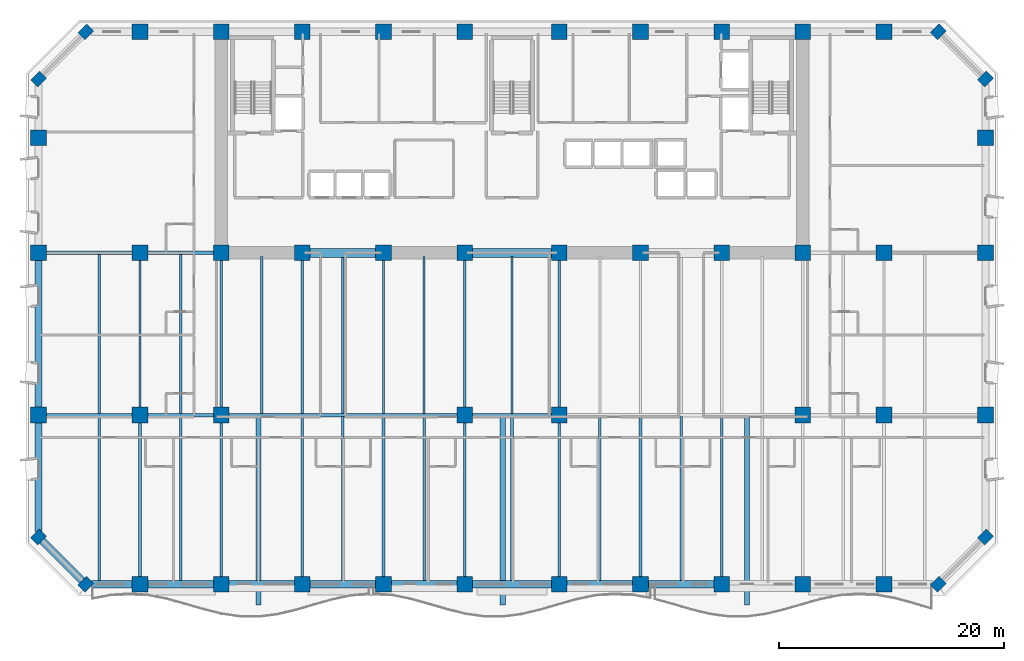
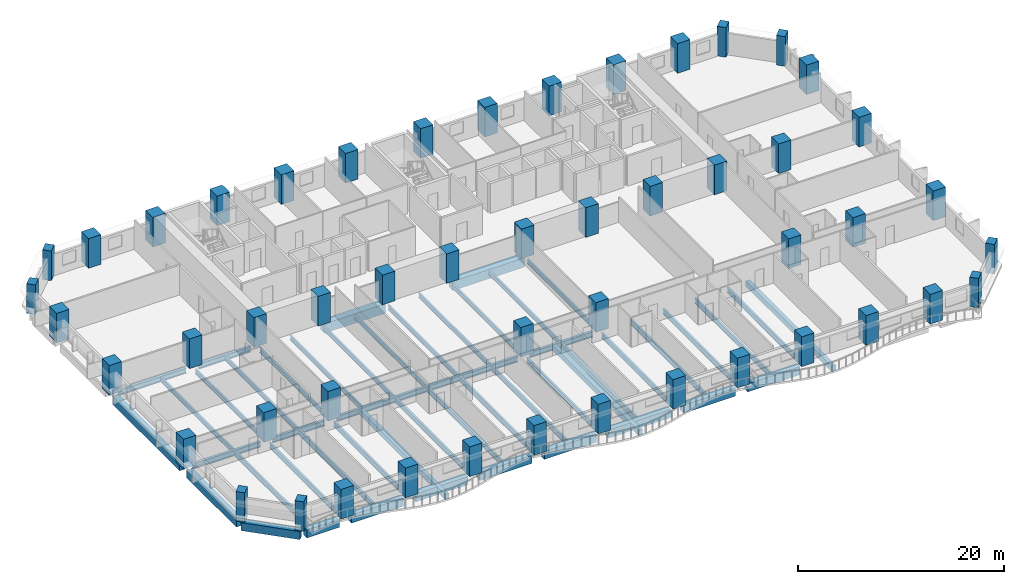
# One storey, part 1 of 15: 50 columns, 49 beams.
"""IFC4 building model written with IfcOpenShell, lengths in metres."""

import ifcopenshell
import ifcopenshell.guid

model = None  # the IFC model being written
_history = None  # IfcOwnerHistory: only IFC2X3 demands one
_inside = {}  # id of a spatial element -> (the spatial element, [elements in it])
_under = {}  # id of a project, library or spatial element -> (it, [spatial elements below it])
_declared = {}  # id of a project -> (the project, [libraries it declares])
_typed = {}  # id of a type object -> (the type object, [elements of that type])
_made_of = {}  # id of a material, layer set ... -> (it, [elements and type objects made of it])


def new_model(schema):
    """Start an empty IFC model of exactly this schema.

    Asked for "IFC4X3", IfcOpenShell would pick the latest addendum, in which some entities
    have other attributes; the version numbers below select the first issue.
    IFC2X3 requires an IfcOwnerHistory on every rooted entity: one is made here for all.
    """
    global model, _history
    if schema == "IFC4X3":
        model = ifcopenshell.file(schema_version=(4, 3, 0, 0))
    else:
        model = ifcopenshell.file(schema=schema)
    _inside.clear()
    _under.clear()
    _declared.clear()
    _typed.clear()
    _made_of.clear()
    _history = None
    if model.schema == "IFC2X3":
        org = make("IfcOrganization", Name="unknown")
        user = make(
            "IfcPersonAndOrganization",
            ThePerson=make("IfcPerson", FamilyName="unknown"),
            TheOrganization=org,
        )
        app = make(
            "IfcApplication",
            ApplicationDeveloper=org,
            Version="unknown",
            ApplicationFullName="unknown",
            ApplicationIdentifier="unknown",
        )
        _history = make(
            "IfcOwnerHistory",
            OwningUser=user,
            OwningApplication=app,
            ChangeAction="ADDED",
            CreationDate=0,
        )
    return model


def make(cls, **values):
    """One entity of the class cls with the attributes given. An attribute that is None is left unset."""
    return model.create_entity(
        cls, **{name: value for name, value in values.items() if value is not None}
    )


def rooted(cls, **values):
    """An entity with a GlobalId (a new one), such as an element, a storey or a relation."""
    return make(cls, GlobalId=ifcopenshell.guid.new(), OwnerHistory=_history, **values)


def si_unit(unit_type, name, prefix=None):
    """IfcSIUnit, for example si_unit("LENGTHUNIT", "METRE", prefix="MILLI")."""
    return make("IfcSIUnit", UnitType=unit_type, Prefix=prefix, Name=name)


def assignment(units):
    """IfcUnitAssignment: the units of a project."""
    return None if units is None else make("IfcUnitAssignment", Units=units)


def point(xyz):
    """IfcCartesianPoint."""
    return None if xyz is None else make("IfcCartesianPoint", Coordinates=xyz)


def direction(xyz):
    """IfcDirection."""
    return None if xyz is None else make("IfcDirection", DirectionRatios=xyz)


def frame(location, z_axis=None, x_axis=None):
    """IfcAxis2Placement3D, a coordinate frame: its origin and axes. An axis left out is left unset."""
    return make(
        "IfcAxis2Placement3D",
        Location=point(location),
        Axis=direction(z_axis),
        RefDirection=direction(x_axis),
    )


def frame_2d(location, x_axis=None):
    """IfcAxis2Placement2D, a coordinate frame in the plane: its origin and x axis."""
    return make(
        "IfcAxis2Placement2D", Location=point(location), RefDirection=direction(x_axis)
    )


def origin():
    """The frame at (0, 0, 0) with its axes left unset."""
    return frame((0.0, 0.0, 0.0))


def origin_2d():
    """The frame at (0, 0) in the plane with its x axis left unset."""
    return frame_2d((0.0, 0.0))


def place(relative_to, where):
    """IfcLocalPlacement: puts the frame where relative to a parent placement (None: the world)."""
    return make(
        "IfcLocalPlacement", PlacementRelTo=relative_to, RelativePlacement=where
    )


def context(
    kind, dimensions, precision=None, world=None, true_north=None, identifier=None
):
    """IfcGeometricRepresentationContext, for example the 3D "Model" context."""
    return make(
        "IfcGeometricRepresentationContext",
        ContextIdentifier=identifier,
        ContextType=kind,
        CoordinateSpaceDimension=dimensions,
        Precision=precision,
        WorldCoordinateSystem=world,
        TrueNorth=true_north,
    )


def subcontext(parent, identifier, kind, view, scale=None):
    """IfcGeometricRepresentationSubContext, for example "Body" below "Model"."""
    return make(
        "IfcGeometricRepresentationSubContext",
        ContextIdentifier=identifier,
        ContextType=kind,
        ParentContext=parent,
        TargetScale=scale,
        TargetView=view,
    )


def project(units=None, contexts=None):
    """IfcProject with its units and contexts."""
    return rooted(
        "IfcProject",
        Name="project",
        RepresentationContexts=contexts,
        UnitsInContext=assignment(units),
    )


def spatial(cls, under=None, at=None, **own):
    """A site, building, storey or space (cls), placed at a placement, below another one or the project."""
    s = rooted(cls, ObjectPlacement=at, **own)
    if under is not None:
        _under.setdefault(under.id(), (under, []))[1].append(s)
    return s


def profile(cls, at=None, kind="AREA", **sizes):
    """A parametric profile (cls). Its sizes go by their IFC names, for example OverallWidth=200.0."""
    return make(cls, ProfileType=kind, Position=at, **sizes)


def rectangle(**sizes):
    """IfcRectangleProfileDef."""
    return profile("IfcRectangleProfileDef", **sizes)


def i_section(**sizes):
    """IfcIShapeProfileDef."""
    return profile("IfcIShapeProfileDef", **sizes)


def extrude(swept, where, along, depth):
    """IfcExtrudedAreaSolid: the profile swept, set in the frame where, extruded along a direction by depth."""
    return make(
        "IfcExtrudedAreaSolid",
        SweptArea=swept,
        Position=where,
        ExtrudedDirection=direction(along),
        Depth=depth,
    )


def shape(context_of_items, identifier, shape_type, items):
    """IfcShapeRepresentation: the items that make up one representation, for example the "Body"."""
    return make(
        "IfcShapeRepresentation",
        ContextOfItems=context_of_items,
        RepresentationIdentifier=identifier,
        RepresentationType=shape_type,
        Items=items,
    )


def material(Name=None, Category=None):
    """IfcMaterial."""
    return make("IfcMaterial", Name=Name, Category=Category)


def material_profile(
    of_material, cross_section, Name=None, Category=None, Priority=None
):
    """IfcMaterialProfile: a cross section and its material."""
    return make(
        "IfcMaterialProfile",
        Name=Name,
        Material=of_material,
        Profile=cross_section,
        Priority=Priority,
        Category=Category,
    )


def profile_set(profiles, Name=None, composite=None):
    """IfcMaterialProfileSet."""
    return make(
        "IfcMaterialProfileSet",
        Name=Name,
        MaterialProfiles=profiles,
        CompositeProfile=composite,
    )


def made_of(thing, what):
    """Note that an element or type object is made of a material, layer set ...; save() writes the relation."""
    if what is not None:
        _made_of.setdefault(what.id(), (what, []))[1].append(thing)
    return thing


def type_object(cls, material=None, **own):
    """A type object (cls), such as IfcWallType, which elements share."""
    return made_of(rooted(cls, **own), material)


def element(
    cls,
    number,
    at=None,
    inside=None,
    cuts=None,
    type_object=None,
    material=None,
    context=None,
    identifier="Body",
    shape_type=None,
    held_by="IfcProductDefinitionShape",
    body=None,
    shapes=None,
    **own,
):
    """One element of the class cls, such as IfcWall. Its Tag is "e" and its number.

    at: its placement. inside: the storey or other place that contains it. cuts: it is an
    opening in that element (IfcRelVoidsElement). A single representation is given by context,
    identifier, shape_type and body (its items); several are given by shapes. held_by: the class
    of the entity that holds the representations. save() writes the other relations.
    """
    e = rooted(cls, Tag="e%d" % number, ObjectPlacement=at, **own)
    if body is not None:
        shapes = [shape(context, identifier, shape_type, body)]
    if shapes is not None:
        e.Representation = make(held_by, Representations=shapes)
    if inside is not None:
        _inside.setdefault(inside.id(), (inside, []))[1].append(e)
    if cuts is not None:
        rooted(
            "IfcRelVoidsElement", RelatingBuildingElement=cuts, RelatedOpeningElement=e
        )
    if type_object is not None:
        _typed.setdefault(type_object.id(), (type_object, []))[1].append(e)
    return made_of(e, material)


def aggregate(whole, parts):
    """IfcRelAggregates: a whole, such as a stair, and the parts it consists of."""
    return rooted("IfcRelAggregates", RelatingObject=whole, RelatedObjects=parts)


def save(model, path):
    """Write the relations noted so far, then the file.

    IfcRelAggregates (storeys below a building ...), IfcRelContainedInSpatialStructure (elements
    in a storey), IfcRelDefinesByType, IfcRelAssociatesMaterial and IfcRelDeclares: one each for
    every whole, place, type object, material and project.
    """
    for whole, parts in _under.values():
        aggregate(whole, parts)
    for where, things in _inside.values():
        rooted(
            "IfcRelContainedInSpatialStructure",
            RelatedElements=things,
            RelatingStructure=where,
        )
    for kind, things in _typed.values():
        rooted("IfcRelDefinesByType", RelatedObjects=things, RelatingType=kind)
    for what, things in _made_of.values():
        rooted("IfcRelAssociatesMaterial", RelatedObjects=things, RelatingMaterial=what)
    for by, libraries in _declared.values():
        rooted("IfcRelDeclares", RelatingContext=by, RelatedDefinitions=libraries)
    model.write(path)


model = new_model("IFC4")

# Units and contexts
model_context = context("Model", 3, precision=1e-05, world=origin(), true_north=direction((0.0, 1.0)))
body_context = subcontext(model_context, "Body", "Model", "MODEL_VIEW")
ifc_project = project(units=[si_unit("LENGTHUNIT", "METRE"), si_unit("AREAUNIT", "SQUARE_METRE"), si_unit("VOLUMEUNIT", "CUBIC_METRE"), si_unit("PLANEANGLEUNIT", "RADIAN"), si_unit("MASSUNIT", "GRAM", prefix="KILO")], contexts=[model_context])

# Site, building, storey
site_placement = place(None, origin())
site = spatial("IfcSite", under=ifc_project, at=site_placement, CompositionType="ELEMENT")
building_placement = place(site_placement, origin())
building = spatial("IfcBuilding", under=site, at=building_placement, Name="Kaelvorn Grand Hotel", CompositionType="ELEMENT")
storey_placement = place(building_placement, frame((0.0, 0.0, 68.89990234375)))
storey = spatial("IfcBuildingStorey", under=building, at=storey_placement, Name="L15", CompositionType="ELEMENT", Elevation=68.89990234375)

# Columns
ifc_material_1 = material(Name="Concrete C80/95", Category="concrete")
ifc_material_profile_1 = material_profile(ifc_material_1, rectangle(XDim=1.10009765625, YDim=0.89990234375, at=origin_2d()), Name="RC PILASTER 1100x900")
ifc_profile_set_1 = profile_set([ifc_material_profile_1], Name="Concrete C80/95")
column_type_1 = type_object("IfcColumnType", Name="COL-PIL-1100x900-C80", PredefinedType="PILASTER", material=ifc_profile_set_1)
for number, where, z_axis, x_axis, name in (
    (1, (4.199951171875, 0.0, 0.0), (0.0, 0.0, 1.0), (0.707106781187, 0.707106781187, 0.0), "L15 Structural Column CH-01"),
    (2, (79.800048828125, 0.0, 0.0), (0.0, 0.0, 1.0), (0.707106781187, 0.707106781187, 0.0), "L15 Structural Column CH-02"),
    (3, (84.0, 4.199951171875, 0.0), (0.0, 0.0, 1.0), (0.707106781187, 0.707106781187, 0.0), "L15 Structural Column CH-03"),
    (4, (84.0, 44.800048828125, 0.0), (0.0, 0.0, 1.0), (0.707106781187, 0.707106781187, 0.0), "L15 Structural Column CH-04"),
    (5, (79.800048828125, 49.0, 0.0), (0.0, 0.0, 1.0), (0.707106781187, 0.707106781187, 0.0), "L15 Structural Column CH-05"),
    (6, (4.199951171875, 49.0, 0.0), (0.0, 0.0, 1.0), (0.707106781187, 0.707106781187, 0.0), "L15 Structural Column CH-06"),
    (7, (0.0, 44.800048828125, 0.0), (0.0, 0.0, 1.0), (0.707106781187, 0.707106781187, 0.0), "L15 Structural Column CH-07"),
    (8, (0.0, 4.199951171875, 0.0), (0.0, 0.0, 1.0), (0.707106781187, 0.707106781187, 0.0), "L15 Structural Column CH-08"),
):
    element("IfcColumn", number, at=place(storey_placement, frame(where, z_axis=z_axis, x_axis=x_axis)), inside=storey, type_object=column_type_1, Name=name, PredefinedType="PILASTER", context=body_context, shape_type="SweptSolid", body=[
        extrude(rectangle(XDim=1.10009765625, YDim=0.89990234375, at=origin_2d()), origin(), (0.0, 0.0, 1.0), 3.510009765625),
    ])
ifc_material_profile_2 = material_profile(ifc_material_1, rectangle(XDim=1.39990234375, YDim=1.39990234375, at=origin_2d()), Name="RC COL 1400x1400")
ifc_profile_set_2 = profile_set([ifc_material_profile_2], Name="Concrete C80/95")
column_type_2 = type_object("IfcColumnType", Name="COL-RC-1400-C80", PredefinedType="COLUMN", material=ifc_profile_set_2)
for number, where, z_axis, x_axis, name in (
    (9, (9.0, 0.0, 0.0), (0.0, 0.0, 1.0), (1.0, 0.0, 0.0), "L15 Structural Column S-01"),
    (10, (16.199951171875, 0.0, 0.0), (0.0, 0.0, 1.0), (1.0, 0.0, 0.0), "L15 Structural Column S-02"),
    (11, (23.39990234375, 0.0, 0.0), (0.0, 0.0, 1.0), (1.0, 0.0, 0.0), "L15 Structural Column S-03"),
    (12, (30.60009765625, 0.0, 0.0), (0.0, 0.0, 1.0), (1.0, 0.0, 0.0), "L15 Structural Column S-04"),
    (13, (37.800048828125, 0.0, 0.0), (0.0, 0.0, 1.0), (1.0, 0.0, 0.0), "L15 Structural Column S-05"),
    (14, (46.199951171875, 0.0, 0.0), (0.0, 0.0, 1.0), (1.0, 0.0, 0.0), "L15 Structural Column S-06"),
    (15, (53.39990234375, 0.0, 0.0), (0.0, 0.0, 1.0), (1.0, 0.0, 0.0), "L15 Structural Column S-07"),
    (16, (60.60009765625, 0.0, 0.0), (0.0, 0.0, 1.0), (1.0, 0.0, 0.0), "L15 Structural Column S-08"),
    (17, (67.800048828125, 0.0, 0.0), (0.0, 0.0, 1.0), (1.0, 0.0, 0.0), "L15 Structural Column S-09"),
    (18, (75.0, 0.0, 0.0), (0.0, 0.0, 1.0), (1.0, 0.0, 0.0), "L15 Structural Column S-10"),
    (19, (0.0, 15.0, 0.0), (0.0, 0.0, 1.0), (1.0, 0.0, 0.0), "L15 Structural Column W-01"),
    (20, (84.0, 15.0, 0.0), (0.0, 0.0, 1.0), (1.0, 0.0, 0.0), "L15 Structural Column E-01"),
    (21, (0.0, 29.39990234375, 0.0), (0.0, 0.0, 1.0), (1.0, 0.0, 0.0), "L15 Structural Column W-02"),
    (22, (84.0, 29.39990234375, 0.0), (0.0, 0.0, 1.0), (1.0, 0.0, 0.0), "L15 Structural Column E-02"),
    (23, (0.0, 39.60009765625, 0.0), (0.0, 0.0, 1.0), (1.0, 0.0, 0.0), "L15 Structural Column W-03"),
    (24, (84.0, 39.60009765625, 0.0), (0.0, 0.0, 1.0), (1.0, 0.0, 0.0), "L15 Structural Column E-03"),
    (25, (9.0, 15.0, 0.0), (0.0, 0.0, 1.0), (1.0, 0.0, 0.0), "L15 Structural Column M-01"),
    (26, (16.199951171875, 15.0, 0.0), (0.0, 0.0, 1.0), (1.0, 0.0, 0.0), "L15 Structural Column M-02"),
    (27, (37.800048828125, 15.0, 0.0), (0.0, 0.0, 1.0), (1.0, 0.0, 0.0), "L15 Structural Column M-03"),
    (28, (46.199951171875, 15.0, 0.0), (0.0, 0.0, 1.0), (1.0, 0.0, 0.0), "L15 Structural Column M-04"),
    (29, (67.800048828125, 15.0, 0.0), (0.0, 0.0, 1.0), (1.0, 0.0, 0.0), "L15 Structural Column M-05"),
    (30, (75.0, 15.0, 0.0), (0.0, 0.0, 1.0), (1.0, 0.0, 0.0), "L15 Structural Column M-06"),
    (31, (9.0, 29.39990234375, 0.0), (0.0, 0.0, 1.0), (1.0, 0.0, 0.0), "L15 Structural Column CR1-01"),
    (32, (9.0, 49.0, 0.0), (0.0, 0.0, 1.0), (1.0, 0.0, 0.0), "L15 Structural Column CR2-01"),
    (33, (16.199951171875, 29.39990234375, 0.0), (0.0, 0.0, 1.0), (1.0, 0.0, 0.0), "L15 Structural Column CR1-02"),
    (34, (16.199951171875, 49.0, 0.0), (0.0, 0.0, 1.0), (1.0, 0.0, 0.0), "L15 Structural Column CR2-02"),
    (35, (23.39990234375, 29.39990234375, 0.0), (0.0, 0.0, 1.0), (1.0, 0.0, 0.0), "L15 Structural Column CR1-03"),
    (36, (23.39990234375, 49.0, 0.0), (0.0, 0.0, 1.0), (1.0, 0.0, 0.0), "L15 Structural Column CR2-03"),
    (37, (30.60009765625, 29.39990234375, 0.0), (0.0, 0.0, 1.0), (1.0, 0.0, 0.0), "L15 Structural Column CR1-04"),
    (38, (30.60009765625, 49.0, 0.0), (0.0, 0.0, 1.0), (1.0, 0.0, 0.0), "L15 Structural Column CR2-04"),
    (39, (37.800048828125, 29.39990234375, 0.0), (0.0, 0.0, 1.0), (1.0, 0.0, 0.0), "L15 Structural Column CR1-05"),
    (40, (37.800048828125, 49.0, 0.0), (0.0, 0.0, 1.0), (1.0, 0.0, 0.0), "L15 Structural Column CR2-05"),
    (41, (46.199951171875, 29.39990234375, 0.0), (0.0, 0.0, 1.0), (1.0, 0.0, 0.0), "L15 Structural Column CR1-06"),
    (42, (46.199951171875, 49.0, 0.0), (0.0, 0.0, 1.0), (1.0, 0.0, 0.0), "L15 Structural Column CR2-06"),
    (43, (53.39990234375, 29.39990234375, 0.0), (0.0, 0.0, 1.0), (1.0, 0.0, 0.0), "L15 Structural Column CR1-07"),
    (44, (53.39990234375, 49.0, 0.0), (0.0, 0.0, 1.0), (1.0, 0.0, 0.0), "L15 Structural Column CR2-07"),
    (45, (60.60009765625, 29.39990234375, 0.0), (0.0, 0.0, 1.0), (1.0, 0.0, 0.0), "L15 Structural Column CR1-08"),
    (46, (60.60009765625, 49.0, 0.0), (0.0, 0.0, 1.0), (1.0, 0.0, 0.0), "L15 Structural Column CR2-08"),
    (47, (67.800048828125, 29.39990234375, 0.0), (0.0, 0.0, 1.0), (1.0, 0.0, 0.0), "L15 Structural Column CR1-09"),
    (48, (67.800048828125, 49.0, 0.0), (0.0, 0.0, 1.0), (1.0, 0.0, 0.0), "L15 Structural Column CR2-09"),
    (49, (75.0, 29.39990234375, 0.0), (0.0, 0.0, 1.0), (1.0, 0.0, 0.0), "L15 Structural Column CR1-10"),
    (50, (75.0, 49.0, 0.0), (0.0, 0.0, 1.0), (1.0, 0.0, 0.0), "L15 Structural Column CR2-10"),
):
    element("IfcColumn", number, at=place(storey_placement, frame(where, z_axis=z_axis, x_axis=x_axis)), inside=storey, type_object=column_type_2, Name=name, PredefinedType="COLUMN", context=body_context, shape_type="SweptSolid", body=[
        extrude(rectangle(XDim=1.39990234375, YDim=1.39990234375, at=origin_2d()), origin(), (0.0, 0.0, 1.0), 3.510009765625),
    ])

# Beams
ifc_material_2 = material(Name="Steel S355", Category="steel")
ifc_material_profile_3 = material_profile(ifc_material_2, i_section(OverallWidth=0.300048828125, OverallDepth=0.64990234375, WebThickness=0.01611328125, FlangeThickness=0.031005859375, FilletRadius=0.027099609375, at=origin_2d()), Name="HEB 650")
ifc_profile_set_3 = profile_set([ifc_material_profile_3], Name="Steel S355")
beam_type_1 = type_object("IfcBeamType", Name="BM-G-HEB650-S355", PredefinedType="BEAM", material=ifc_profile_set_3)
beam_1_placement = place(storey_placement, frame((0.68505859375, 15.0, -0.56494140625), z_axis=(1.0, 0.0, 0.0), x_axis=(0.0, 1.0, 0.0)))
element("IfcBeam", 51, at=beam_1_placement, inside=storey, type_object=beam_type_1, Name="L15 Primary Spine Steel Girder G-15 01", PredefinedType="BEAM", context=body_context, shape_type="SweptSolid", body=[
    extrude(i_section(OverallWidth=0.300048828125, OverallDepth=0.64990234375, WebThickness=0.01611328125, FlangeThickness=0.031005859375, FilletRadius=0.027099609375, at=origin_2d()), origin(), (0.0, 0.0, 1.0), 7.6298828125),
])
beam_2_placement = place(storey_placement, frame((9.68505859375, 15.0, -0.56494140625), z_axis=(1.0, 0.0, 0.0), x_axis=(0.0, 1.0, 0.0)))
element("IfcBeam", 52, at=beam_2_placement, inside=storey, type_object=beam_type_1, Name="L15 Primary Spine Steel Girder G-15 02", PredefinedType="BEAM", context=body_context, shape_type="SweptSolid", body=[
    extrude(i_section(OverallWidth=0.300048828125, OverallDepth=0.64990234375, WebThickness=0.01611328125, FlangeThickness=0.031005859375, FilletRadius=0.027099609375, at=origin_2d()), origin(), (0.0, 0.0, 1.0), 5.829833984375),
])
beam_3_placement = place(storey_placement, frame((16.885009765625, 15.0, -0.56494140625), z_axis=(1.0, 0.0, 0.0), x_axis=(0.0, 1.0, 0.0)))
element("IfcBeam", 53, at=beam_3_placement, inside=storey, type_object=beam_type_1, Name="L15 Primary Spine Steel Girder G-15 03", PredefinedType="BEAM", context=body_context, shape_type="SweptSolid", body=[
    extrude(i_section(OverallWidth=0.300048828125, OverallDepth=0.64990234375, WebThickness=0.01611328125, FlangeThickness=0.031005859375, FilletRadius=0.027099609375, at=origin_2d()), origin(), (0.0, 0.0, 1.0), 20.22998046875),
])
beam_4_placement = place(storey_placement, frame((38.485107421875, 15.0, -0.56494140625), z_axis=(1.0, 0.0, 0.0), x_axis=(0.0, 1.0, 0.0)))
element("IfcBeam", 54, at=beam_4_placement, inside=storey, type_object=beam_type_1, Name="L15 Primary Spine Steel Girder G-15 04", PredefinedType="BEAM", context=body_context, shape_type="SweptSolid", body=[
    extrude(i_section(OverallWidth=0.300048828125, OverallDepth=0.64990234375, WebThickness=0.01611328125, FlangeThickness=0.031005859375, FilletRadius=0.027099609375, at=origin_2d()), origin(), (0.0, 0.0, 1.0), 7.02978515625),
])
beam_5_placement = place(storey_placement, frame((0.68505859375, 29.39990234375, -0.56494140625), z_axis=(1.0, 0.0, 0.0), x_axis=(0.0, 1.0, 0.0)))
element("IfcBeam", 55, at=beam_5_placement, inside=storey, type_object=beam_type_1, Name="L15 West Core Wing Steel Girder G-29W 01", PredefinedType="BEAM", context=body_context, shape_type="SweptSolid", body=[
    extrude(i_section(OverallWidth=0.300048828125, OverallDepth=0.64990234375, WebThickness=0.01611328125, FlangeThickness=0.031005859375, FilletRadius=0.027099609375, at=origin_2d()), origin(), (0.0, 0.0, 1.0), 7.6298828125),
])
beam_6_placement = place(storey_placement, frame((9.68505859375, 29.39990234375, -0.56494140625), z_axis=(1.0, 0.0, 0.0), x_axis=(0.0, 1.0, 0.0)))
element("IfcBeam", 56, at=beam_6_placement, inside=storey, type_object=beam_type_1, Name="L15 West Core Wing Steel Girder G-29W 02", PredefinedType="BEAM", context=body_context, shape_type="SweptSolid", body=[
    extrude(i_section(OverallWidth=0.300048828125, OverallDepth=0.64990234375, WebThickness=0.01611328125, FlangeThickness=0.031005859375, FilletRadius=0.027099609375, at=origin_2d()), origin(), (0.0, 0.0, 1.0), 5.829833984375),
])
ifc_material_profile_4 = material_profile(ifc_material_2, i_section(OverallWidth=0.209228515625, OverallDepth=0.533203125, WebThickness=0.010009765625, FlangeThickness=0.015625, FilletRadius=0.0126953125, at=origin_2d()), Name="UB 533x210x92")
ifc_profile_set_4 = profile_set([ifc_material_profile_4], Name="Steel S355")
beam_type_2 = type_object("IfcBeamType", Name="BM-J-UB533-S355", PredefinedType="JOIST", material=ifc_profile_set_4)
beam_7_placement = place(storey_placement, frame((5.39990234375, 15.135009765625, -0.50634765625), z_axis=(0.0, 1.0, 0.0), x_axis=(-1.0, 0.0, 0.0)))
element("IfcBeam", 57, at=beam_7_placement, inside=storey, type_object=beam_type_2, Name="L15 Composite Floor Joist JM-02", PredefinedType="JOIST", context=body_context, shape_type="SweptSolid", body=[
    extrude(i_section(OverallWidth=0.209228515625, OverallDepth=0.533203125, WebThickness=0.010009765625, FlangeThickness=0.015625, FilletRadius=0.0126953125, at=origin_2d()), origin(), (0.0, 0.0, 1.0), 14.1298828125),
])
beam_8_placement = place(storey_placement, frame((9.0, 15.68505859375, -0.50634765625), z_axis=(0.0, 1.0, 0.0), x_axis=(-1.0, 0.0, 0.0)))
element("IfcBeam", 58, at=beam_8_placement, inside=storey, type_object=beam_type_2, Name="L15 Composite Floor Joist JM-03", PredefinedType="JOIST", context=body_context, shape_type="SweptSolid", body=[
    extrude(i_section(OverallWidth=0.209228515625, OverallDepth=0.533203125, WebThickness=0.010009765625, FlangeThickness=0.015625, FilletRadius=0.0126953125, at=origin_2d()), origin(), (0.0, 0.0, 1.0), 13.030029296875),
])
beam_9_placement = place(storey_placement, frame((12.60009765625, 15.135009765625, -0.50634765625), z_axis=(0.0, 1.0, 0.0), x_axis=(-1.0, 0.0, 0.0)))
element("IfcBeam", 59, at=beam_9_placement, inside=storey, type_object=beam_type_2, Name="L15 Composite Floor Joist JM-04", PredefinedType="JOIST", context=body_context, shape_type="SweptSolid", body=[
    extrude(i_section(OverallWidth=0.209228515625, OverallDepth=0.533203125, WebThickness=0.010009765625, FlangeThickness=0.015625, FilletRadius=0.0126953125, at=origin_2d()), origin(), (0.0, 0.0, 1.0), 14.1298828125),
])
beam_10_placement = place(storey_placement, frame((16.199951171875, 15.68505859375, -0.50634765625), z_axis=(0.0, 1.0, 0.0), x_axis=(-1.0, 0.0, 0.0)))
element("IfcBeam", 60, at=beam_10_placement, inside=storey, type_object=beam_type_2, Name="L15 Composite Floor Joist JM-05", PredefinedType="JOIST", context=body_context, shape_type="SweptSolid", body=[
    extrude(i_section(OverallWidth=0.209228515625, OverallDepth=0.533203125, WebThickness=0.010009765625, FlangeThickness=0.015625, FilletRadius=0.0126953125, at=origin_2d()), origin(), (0.0, 0.0, 1.0), 13.030029296875),
])
beam_11_placement = place(storey_placement, frame((19.800048828125, 15.135009765625, -0.50634765625), z_axis=(0.0, 1.0, 0.0), x_axis=(-1.0, 0.0, 0.0)))
element("IfcBeam", 61, at=beam_11_placement, inside=storey, type_object=beam_type_2, Name="L15 Composite Floor Joist JM-06", PredefinedType="JOIST", context=body_context, shape_type="SweptSolid", body=[
    extrude(i_section(OverallWidth=0.209228515625, OverallDepth=0.533203125, WebThickness=0.010009765625, FlangeThickness=0.015625, FilletRadius=0.0126953125, at=origin_2d()), origin(), (0.0, 0.0, 1.0), 13.925048828125),
])
beam_12_placement = place(storey_placement, frame((23.39990234375, 15.135009765625, -0.50634765625), z_axis=(0.0, 1.0, 0.0), x_axis=(-1.0, 0.0, 0.0)))
element("IfcBeam", 62, at=beam_12_placement, inside=storey, type_object=beam_type_2, Name="L15 Composite Floor Joist JM-07", PredefinedType="JOIST", context=body_context, shape_type="SweptSolid", body=[
    extrude(i_section(OverallWidth=0.209228515625, OverallDepth=0.533203125, WebThickness=0.010009765625, FlangeThickness=0.015625, FilletRadius=0.0126953125, at=origin_2d()), origin(), (0.0, 0.0, 1.0), 13.580078125),
])
beam_13_placement = place(storey_placement, frame((27.0, 15.135009765625, -0.50634765625), z_axis=(0.0, 1.0, 0.0), x_axis=(-1.0, 0.0, 0.0)))
element("IfcBeam", 63, at=beam_13_placement, inside=storey, type_object=beam_type_2, Name="L15 Composite Floor Joist JM-08", PredefinedType="JOIST", context=body_context, shape_type="SweptSolid", body=[
    extrude(i_section(OverallWidth=0.209228515625, OverallDepth=0.533203125, WebThickness=0.010009765625, FlangeThickness=0.015625, FilletRadius=0.0126953125, at=origin_2d()), origin(), (0.0, 0.0, 1.0), 13.925048828125),
])
beam_14_placement = place(storey_placement, frame((30.60009765625, 15.135009765625, -0.50634765625), z_axis=(0.0, 1.0, 0.0), x_axis=(-1.0, 0.0, 0.0)))
element("IfcBeam", 64, at=beam_14_placement, inside=storey, type_object=beam_type_2, Name="L15 Composite Floor Joist JM-09", PredefinedType="JOIST", context=body_context, shape_type="SweptSolid", body=[
    extrude(i_section(OverallWidth=0.209228515625, OverallDepth=0.533203125, WebThickness=0.010009765625, FlangeThickness=0.015625, FilletRadius=0.0126953125, at=origin_2d()), origin(), (0.0, 0.0, 1.0), 13.580078125),
])
beam_15_placement = place(storey_placement, frame((34.199951171875, 15.135009765625, -0.50634765625), z_axis=(0.0, 1.0, 0.0), x_axis=(-1.0, 0.0, 0.0)))
element("IfcBeam", 65, at=beam_15_placement, inside=storey, type_object=beam_type_2, Name="L15 Composite Floor Joist JM-10", PredefinedType="JOIST", context=body_context, shape_type="SweptSolid", body=[
    extrude(i_section(OverallWidth=0.209228515625, OverallDepth=0.533203125, WebThickness=0.010009765625, FlangeThickness=0.015625, FilletRadius=0.0126953125, at=origin_2d()), origin(), (0.0, 0.0, 1.0), 13.925048828125),
])
beam_16_placement = place(storey_placement, frame((37.800048828125, 15.68505859375, -0.50634765625), z_axis=(0.0, 1.0, 0.0), x_axis=(-1.0, 0.0, 0.0)))
element("IfcBeam", 66, at=beam_16_placement, inside=storey, type_object=beam_type_2, Name="L15 Composite Floor Joist JM-11", PredefinedType="JOIST", context=body_context, shape_type="SweptSolid", body=[
    extrude(i_section(OverallWidth=0.209228515625, OverallDepth=0.533203125, WebThickness=0.010009765625, FlangeThickness=0.015625, FilletRadius=0.0126953125, at=origin_2d()), origin(), (0.0, 0.0, 1.0), 13.030029296875),
])
beam_17_placement = place(storey_placement, frame((42.0, 15.135009765625, -0.50634765625), z_axis=(0.0, 1.0, 0.0), x_axis=(-1.0, 0.0, 0.0)))
element("IfcBeam", 67, at=beam_17_placement, inside=storey, type_object=beam_type_2, Name="L15 Composite Floor Joist JM-12", PredefinedType="JOIST", context=body_context, shape_type="SweptSolid", body=[
    extrude(i_section(OverallWidth=0.209228515625, OverallDepth=0.533203125, WebThickness=0.010009765625, FlangeThickness=0.015625, FilletRadius=0.0126953125, at=origin_2d()), origin(), (0.0, 0.0, 1.0), 13.925048828125),
])
beam_18_placement = place(storey_placement, frame((46.199951171875, 15.68505859375, -0.50634765625), z_axis=(0.0, 1.0, 0.0), x_axis=(-1.0, 0.0, 0.0)))
element("IfcBeam", 68, at=beam_18_placement, inside=storey, type_object=beam_type_2, Name="L15 Composite Floor Joist JM-13", PredefinedType="JOIST", context=body_context, shape_type="SweptSolid", body=[
    extrude(i_section(OverallWidth=0.209228515625, OverallDepth=0.533203125, WebThickness=0.010009765625, FlangeThickness=0.015625, FilletRadius=0.0126953125, at=origin_2d()), origin(), (0.0, 0.0, 1.0), 13.030029296875),
])
ifc_material_profile_5 = material_profile(ifc_material_2, i_section(OverallWidth=0.22900390625, OverallDepth=0.6123046875, WebThickness=0.011962890625, FlangeThickness=0.01953125, FilletRadius=0.0126953125, at=origin_2d()), Name="UB 610x229x125")
ifc_profile_set_5 = profile_set([ifc_material_profile_5], Name="Steel S355")
beam_type_3 = type_object("IfcBeamType", Name="BM-J-UB610-S355", PredefinedType="JOIST", material=ifc_profile_set_5)
beam_19_placement = place(storey_placement, frame((5.39990234375, 0.31005859375, -0.5458984375), z_axis=(0.0, 1.0, 0.0), x_axis=(-1.0, 0.0, 0.0)))
element("IfcBeam", 69, at=beam_19_placement, inside=storey, type_object=beam_type_3, Name="L15 Composite Floor Joist JS-02", PredefinedType="JOIST", context=body_context, shape_type="SweptSolid", body=[
    extrude(i_section(OverallWidth=0.22900390625, OverallDepth=0.6123046875, WebThickness=0.011962890625, FlangeThickness=0.01953125, FilletRadius=0.0126953125, at=origin_2d()), origin(), (0.0, 0.0, 1.0), 14.554931640625),
])
beam_20_placement = place(storey_placement, frame((9.0, 0.68505859375, -0.5458984375), z_axis=(0.0, 1.0, 0.0), x_axis=(-1.0, 0.0, 0.0)))
element("IfcBeam", 70, at=beam_20_placement, inside=storey, type_object=beam_type_3, Name="L15 Composite Floor Joist JS-03", PredefinedType="JOIST", context=body_context, shape_type="SweptSolid", body=[
    extrude(i_section(OverallWidth=0.22900390625, OverallDepth=0.6123046875, WebThickness=0.011962890625, FlangeThickness=0.01953125, FilletRadius=0.0126953125, at=origin_2d()), origin(), (0.0, 0.0, 1.0), 13.6298828125),
])
beam_21_placement = place(storey_placement, frame((12.60009765625, 0.31005859375, -0.5458984375), z_axis=(0.0, 1.0, 0.0), x_axis=(-1.0, 0.0, 0.0)))
element("IfcBeam", 71, at=beam_21_placement, inside=storey, type_object=beam_type_3, Name="L15 Composite Floor Joist JS-04", PredefinedType="JOIST", context=body_context, shape_type="SweptSolid", body=[
    extrude(i_section(OverallWidth=0.22900390625, OverallDepth=0.6123046875, WebThickness=0.011962890625, FlangeThickness=0.01953125, FilletRadius=0.0126953125, at=origin_2d()), origin(), (0.0, 0.0, 1.0), 14.554931640625),
])
beam_22_placement = place(storey_placement, frame((16.199951171875, 0.68505859375, -0.5458984375), z_axis=(0.0, 1.0, 0.0), x_axis=(-1.0, 0.0, 0.0)))
element("IfcBeam", 72, at=beam_22_placement, inside=storey, type_object=beam_type_3, Name="L15 Composite Floor Joist JS-05", PredefinedType="JOIST", context=body_context, shape_type="SweptSolid", body=[
    extrude(i_section(OverallWidth=0.22900390625, OverallDepth=0.6123046875, WebThickness=0.011962890625, FlangeThickness=0.01953125, FilletRadius=0.0126953125, at=origin_2d()), origin(), (0.0, 0.0, 1.0), 13.6298828125),
])
beam_23_placement = place(storey_placement, frame((23.39990234375, 0.68505859375, -0.5458984375), z_axis=(0.0, 1.0, 0.0), x_axis=(-1.0, 0.0, 0.0)))
element("IfcBeam", 73, at=beam_23_placement, inside=storey, type_object=beam_type_3, Name="L15 Composite Floor Joist JS-07", PredefinedType="JOIST", context=body_context, shape_type="SweptSolid", body=[
    extrude(i_section(OverallWidth=0.22900390625, OverallDepth=0.6123046875, WebThickness=0.011962890625, FlangeThickness=0.01953125, FilletRadius=0.0126953125, at=origin_2d()), origin(), (0.0, 0.0, 1.0), 14.179931640625),
])
beam_24_placement = place(storey_placement, frame((27.0, 0.31005859375, -0.5458984375), z_axis=(0.0, 1.0, 0.0), x_axis=(-1.0, 0.0, 0.0)))
element("IfcBeam", 74, at=beam_24_placement, inside=storey, type_object=beam_type_3, Name="L15 Composite Floor Joist JS-08", PredefinedType="JOIST", context=body_context, shape_type="SweptSolid", body=[
    extrude(i_section(OverallWidth=0.22900390625, OverallDepth=0.6123046875, WebThickness=0.011962890625, FlangeThickness=0.01953125, FilletRadius=0.0126953125, at=origin_2d()), origin(), (0.0, 0.0, 1.0), 14.554931640625),
])
beam_25_placement = place(storey_placement, frame((30.60009765625, 0.68505859375, -0.5458984375), z_axis=(0.0, 1.0, 0.0), x_axis=(-1.0, 0.0, 0.0)))
element("IfcBeam", 75, at=beam_25_placement, inside=storey, type_object=beam_type_3, Name="L15 Composite Floor Joist JS-09", PredefinedType="JOIST", context=body_context, shape_type="SweptSolid", body=[
    extrude(i_section(OverallWidth=0.22900390625, OverallDepth=0.6123046875, WebThickness=0.011962890625, FlangeThickness=0.01953125, FilletRadius=0.0126953125, at=origin_2d()), origin(), (0.0, 0.0, 1.0), 14.179931640625),
])
beam_26_placement = place(storey_placement, frame((34.199951171875, 0.31005859375, -0.5458984375), z_axis=(0.0, 1.0, 0.0), x_axis=(-1.0, 0.0, 0.0)))
element("IfcBeam", 76, at=beam_26_placement, inside=storey, type_object=beam_type_3, Name="L15 Composite Floor Joist JS-10", PredefinedType="JOIST", context=body_context, shape_type="SweptSolid", body=[
    extrude(i_section(OverallWidth=0.22900390625, OverallDepth=0.6123046875, WebThickness=0.011962890625, FlangeThickness=0.01953125, FilletRadius=0.0126953125, at=origin_2d()), origin(), (0.0, 0.0, 1.0), 14.554931640625),
])
beam_27_placement = place(storey_placement, frame((37.800048828125, 0.68505859375, -0.5458984375), z_axis=(0.0, 1.0, 0.0), x_axis=(-1.0, 0.0, 0.0)))
element("IfcBeam", 77, at=beam_27_placement, inside=storey, type_object=beam_type_3, Name="L15 Composite Floor Joist JS-11", PredefinedType="JOIST", context=body_context, shape_type="SweptSolid", body=[
    extrude(i_section(OverallWidth=0.22900390625, OverallDepth=0.6123046875, WebThickness=0.011962890625, FlangeThickness=0.01953125, FilletRadius=0.0126953125, at=origin_2d()), origin(), (0.0, 0.0, 1.0), 13.6298828125),
])
beam_28_placement = place(storey_placement, frame((42.0, 0.31005859375, -0.5458984375), z_axis=(0.0, 1.0, 0.0), x_axis=(-1.0, 0.0, 0.0)))
element("IfcBeam", 78, at=beam_28_placement, inside=storey, type_object=beam_type_3, Name="L15 Composite Floor Joist JS-12", PredefinedType="JOIST", context=body_context, shape_type="SweptSolid", body=[
    extrude(i_section(OverallWidth=0.22900390625, OverallDepth=0.6123046875, WebThickness=0.011962890625, FlangeThickness=0.01953125, FilletRadius=0.0126953125, at=origin_2d()), origin(), (0.0, 0.0, 1.0), 14.554931640625),
])
beam_29_placement = place(storey_placement, frame((46.199951171875, 0.68505859375, -0.5458984375), z_axis=(0.0, 1.0, 0.0), x_axis=(-1.0, 0.0, 0.0)))
element("IfcBeam", 79, at=beam_29_placement, inside=storey, type_object=beam_type_3, Name="L15 Composite Floor Joist JS-13", PredefinedType="JOIST", context=body_context, shape_type="SweptSolid", body=[
    extrude(i_section(OverallWidth=0.22900390625, OverallDepth=0.6123046875, WebThickness=0.011962890625, FlangeThickness=0.01953125, FilletRadius=0.0126953125, at=origin_2d()), origin(), (0.0, 0.0, 1.0), 13.6298828125),
])
beam_30_placement = place(storey_placement, frame((49.800048828125, 0.31005859375, -0.5458984375), z_axis=(0.0, 1.0, 0.0), x_axis=(-1.0, 0.0, 0.0)))
element("IfcBeam", 80, at=beam_30_placement, inside=storey, type_object=beam_type_3, Name="L15 Composite Floor Joist JS-14", PredefinedType="JOIST", context=body_context, shape_type="SweptSolid", body=[
    extrude(i_section(OverallWidth=0.22900390625, OverallDepth=0.6123046875, WebThickness=0.011962890625, FlangeThickness=0.01953125, FilletRadius=0.0126953125, at=origin_2d()), origin(), (0.0, 0.0, 1.0), 14.554931640625),
])
beam_31_placement = place(storey_placement, frame((53.39990234375, 0.68505859375, -0.5458984375), z_axis=(0.0, 1.0, 0.0), x_axis=(-1.0, 0.0, 0.0)))
element("IfcBeam", 81, at=beam_31_placement, inside=storey, type_object=beam_type_3, Name="L15 Composite Floor Joist JS-15", PredefinedType="JOIST", context=body_context, shape_type="SweptSolid", body=[
    extrude(i_section(OverallWidth=0.22900390625, OverallDepth=0.6123046875, WebThickness=0.011962890625, FlangeThickness=0.01953125, FilletRadius=0.0126953125, at=origin_2d()), origin(), (0.0, 0.0, 1.0), 14.179931640625),
])
beam_32_placement = place(storey_placement, frame((57.0, 0.31005859375, -0.5458984375), z_axis=(0.0, 1.0, 0.0), x_axis=(-1.0, 0.0, 0.0)))
element("IfcBeam", 82, at=beam_32_placement, inside=storey, type_object=beam_type_3, Name="L15 Composite Floor Joist JS-16", PredefinedType="JOIST", context=body_context, shape_type="SweptSolid", body=[
    extrude(i_section(OverallWidth=0.22900390625, OverallDepth=0.6123046875, WebThickness=0.011962890625, FlangeThickness=0.01953125, FilletRadius=0.0126953125, at=origin_2d()), origin(), (0.0, 0.0, 1.0), 14.554931640625),
])
beam_33_placement = place(storey_placement, frame((60.60009765625, 0.68505859375, -0.5458984375), z_axis=(0.0, 1.0, 0.0), x_axis=(-1.0, 0.0, 0.0)))
element("IfcBeam", 83, at=beam_33_placement, inside=storey, type_object=beam_type_3, Name="L15 Composite Floor Joist JS-17", PredefinedType="JOIST", context=body_context, shape_type="SweptSolid", body=[
    extrude(i_section(OverallWidth=0.22900390625, OverallDepth=0.6123046875, WebThickness=0.011962890625, FlangeThickness=0.01953125, FilletRadius=0.0126953125, at=origin_2d()), origin(), (0.0, 0.0, 1.0), 14.179931640625),
])
ifc_material_3 = material(Name="Concrete C60/75", Category="concrete")
ifc_material_profile_6 = material_profile(ifc_material_3, rectangle(XDim=0.800048828125, YDim=1.10009765625, at=origin_2d()), Name="RC LINTEL 800x1100")
ifc_profile_set_6 = profile_set([ifc_material_profile_6], Name="Concrete C60/75")
beam_type_4 = type_object("IfcBeamType", Name="BM-LIN-800x1100-C60", PredefinedType="LINTEL", material=ifc_profile_set_6)
beam_34_placement = place(storey_placement, frame((23.580078125, 29.39990234375, -0.789794921875), z_axis=(1.0, 0.0, 0.0), x_axis=(0.0, 1.0, 0.0)))
element("IfcBeam", 84, at=beam_34_placement, inside=storey, type_object=beam_type_4, Name="L15 Rear-Core Coupling Lintel Beam CB1-01", PredefinedType="LINTEL", context=body_context, shape_type="SweptSolid", body=[
    extrude(rectangle(XDim=0.800048828125, YDim=1.10009765625, at=origin_2d()), origin(), (0.0, 0.0, 1.0), 6.83984375),
])
beam_35_placement = place(storey_placement, frame((37.97998046875, 29.39990234375, -0.789794921875), z_axis=(1.0, 0.0, 0.0), x_axis=(0.0, 1.0, 0.0)))
element("IfcBeam", 85, at=beam_35_placement, inside=storey, type_object=beam_type_4, Name="L15 Rear-Core Coupling Lintel Beam CB1-02", PredefinedType="LINTEL", context=body_context, shape_type="SweptSolid", body=[
    extrude(rectangle(XDim=0.800048828125, YDim=1.10009765625, at=origin_2d()), origin(), (0.0, 0.0, 1.0), 8.0400390625),
])
ifc_material_4 = material(Name="Concrete C40/50", Category="concrete")
ifc_material_profile_7 = material_profile(ifc_material_4, rectangle(XDim=0.449951171875, YDim=0.64990234375, at=origin_2d()), Name="RC RIB 450x650")
ifc_profile_set_7 = profile_set([ifc_material_profile_7], Name="Concrete C40/50")
beam_type_5 = type_object("IfcBeamType", Name="BM-RIB-450x650-C40", PredefinedType="SPANDREL", material=ifc_profile_set_7)
for number, where, z_axis, x_axis, name in (
    (86, (19.52001953125, -1.85009765625, -0.544921875), (0.0, 1.0, 0.0), (-1.0, 0.0, 0.0), "L15 Cantilevered Balcony Back-Span Rib RB1-1"),
    (87, (41.18212890625, -1.85009765625, -0.544921875), (0.0, 1.0, 0.0), (-1.0, 0.0, 0.0), "L15 Cantilevered Balcony Back-Span Rib RB1-2"),
    (88, (62.844482421875, -1.85009765625, -0.544921875), (0.0, 1.0, 0.0), (-1.0, 0.0, 0.0), "L15 Cantilevered Balcony Back-Span Rib RB1-3"),
):
    element("IfcBeam", number, at=place(storey_placement, frame(where, z_axis=z_axis, x_axis=x_axis)), inside=storey, type_object=beam_type_5, Name=name, PredefinedType="SPANDREL", context=body_context, shape_type="SweptSolid", body=[
        extrude(rectangle(XDim=0.449951171875, YDim=0.64990234375, at=origin_2d()), origin(), (0.0, 0.0, 1.0), 16.715087890625),
    ])
ifc_material_profile_8 = material_profile(ifc_material_3, rectangle(XDim=0.64990234375, YDim=0.949951171875, at=origin_2d()), Name="RC SPANDREL 650x950")
ifc_profile_set_8 = profile_set([ifc_material_profile_8], Name="Concrete C60/75")
beam_type_6 = type_object("IfcBeamType", Name="BM-SP-650x950-C60", PredefinedType="SPANDREL", material=ifc_profile_set_8)
beam_36_placement = place(storey_placement, frame((4.68505859375, 0.0, -0.71484375), z_axis=(1.0, 0.0, 0.0), x_axis=(0.0, 1.0, 0.0)))
element("IfcBeam", 89, at=beam_36_placement, inside=storey, type_object=beam_type_6, Name="L15 South Perimeter Spandrel 01", PredefinedType="SPANDREL", context=body_context, shape_type="SweptSolid", body=[
    extrude(rectangle(XDim=0.64990234375, YDim=0.949951171875, at=origin_2d()), origin(), (0.0, 0.0, 1.0), 3.6298828125),
])
beam_37_placement = place(storey_placement, frame((9.68505859375, 0.0, -0.71484375), z_axis=(1.0, 0.0, 0.0), x_axis=(0.0, 1.0, 0.0)))
element("IfcBeam", 90, at=beam_37_placement, inside=storey, type_object=beam_type_6, Name="L15 South Perimeter Spandrel 02", PredefinedType="SPANDREL", context=body_context, shape_type="SweptSolid", body=[
    extrude(rectangle(XDim=0.64990234375, YDim=0.949951171875, at=origin_2d()), origin(), (0.0, 0.0, 1.0), 5.829833984375),
])
for number, where, z_axis, x_axis, name in (
    (91, (16.885009765625, 0.0, -0.71484375), (1.0, 0.0, 0.0), (0.0, 1.0, 0.0), "L15 South Perimeter Spandrel 03"),
    (92, (24.0849609375, 0.0, -0.71484375), (1.0, 0.0, 0.0), (0.0, 1.0, 0.0), "L15 South Perimeter Spandrel 04"),
    (93, (31.284912109375, 0.0, -0.71484375), (1.0, 0.0, 0.0), (0.0, 1.0, 0.0), "L15 South Perimeter Spandrel 05"),
):
    element("IfcBeam", number, at=place(storey_placement, frame(where, z_axis=z_axis, x_axis=x_axis)), inside=storey, type_object=beam_type_6, Name=name, PredefinedType="SPANDREL", context=body_context, shape_type="SweptSolid", body=[
        extrude(rectangle(XDim=0.64990234375, YDim=0.949951171875, at=origin_2d()), origin(), (0.0, 0.0, 1.0), 5.830078125),
    ])
beam_38_placement = place(storey_placement, frame((38.485107421875, 0.0, -0.71484375), z_axis=(1.0, 0.0, 0.0), x_axis=(0.0, 1.0, 0.0)))
element("IfcBeam", 94, at=beam_38_placement, inside=storey, type_object=beam_type_6, Name="L15 South Perimeter Spandrel 06", PredefinedType="SPANDREL", context=body_context, shape_type="SweptSolid", body=[
    extrude(rectangle(XDim=0.64990234375, YDim=0.949951171875, at=origin_2d()), origin(), (0.0, 0.0, 1.0), 7.02978515625),
])
for number, where, z_axis, x_axis, name in (
    (95, (46.885009765625, 0.0, -0.71484375), (1.0, 0.0, 0.0), (0.0, 1.0, 0.0), "L15 South Perimeter Spandrel 07"),
    (96, (54.0849609375, 0.0, -0.71484375), (1.0, 0.0, 0.0), (0.0, 1.0, 0.0), "L15 South Perimeter Spandrel 08"),
):
    element("IfcBeam", number, at=place(storey_placement, frame(where, z_axis=z_axis, x_axis=x_axis)), inside=storey, type_object=beam_type_6, Name=name, PredefinedType="SPANDREL", context=body_context, shape_type="SweptSolid", body=[
        extrude(rectangle(XDim=0.64990234375, YDim=0.949951171875, at=origin_2d()), origin(), (0.0, 0.0, 1.0), 5.830078125),
    ])
beam_39_placement = place(storey_placement, frame((0.0, 4.68505859375, -0.71484375), z_axis=(0.0, 1.0, 0.0), x_axis=(-1.0, 0.0, 0.0)))
element("IfcBeam", 97, at=beam_39_placement, inside=storey, type_object=beam_type_6, Name="L15 West Perimeter Spandrel 01", PredefinedType="SPANDREL", context=body_context, shape_type="SweptSolid", body=[
    extrude(rectangle(XDim=0.64990234375, YDim=0.949951171875, at=origin_2d()), origin(), (0.0, 0.0, 1.0), 9.6298828125),
])
beam_40_placement = place(storey_placement, frame((0.0, 15.68505859375, -0.71484375), z_axis=(0.0, 1.0, 0.0), x_axis=(-1.0, 0.0, 0.0)))
element("IfcBeam", 98, at=beam_40_placement, inside=storey, type_object=beam_type_6, Name="L15 West Perimeter Spandrel 02", PredefinedType="SPANDREL", context=body_context, shape_type="SweptSolid", body=[
    extrude(rectangle(XDim=0.64990234375, YDim=0.949951171875, at=origin_2d()), origin(), (0.0, 0.0, 1.0), 13.030029296875),
])
beam_41_placement = place(storey_placement, frame((0.0, 4.199951171875, -0.71484375), z_axis=(0.707106781187, -0.707106781187, 0.0), x_axis=(0.707106781187, 0.707106781187, 0.0)))
element("IfcBeam", 99, at=beam_41_placement, inside=storey, type_object=beam_type_6, Name="L15 Chamfer Spandrel Beam 4", PredefinedType="SPANDREL", context=body_context, shape_type="SweptSolid", body=[
    extrude(rectangle(XDim=0.64990234375, YDim=0.949951171875, at=origin_2d()), origin(), (0.0, 0.0, 1.0), 5.939697265625),
])

save(model, "model.ifc")
